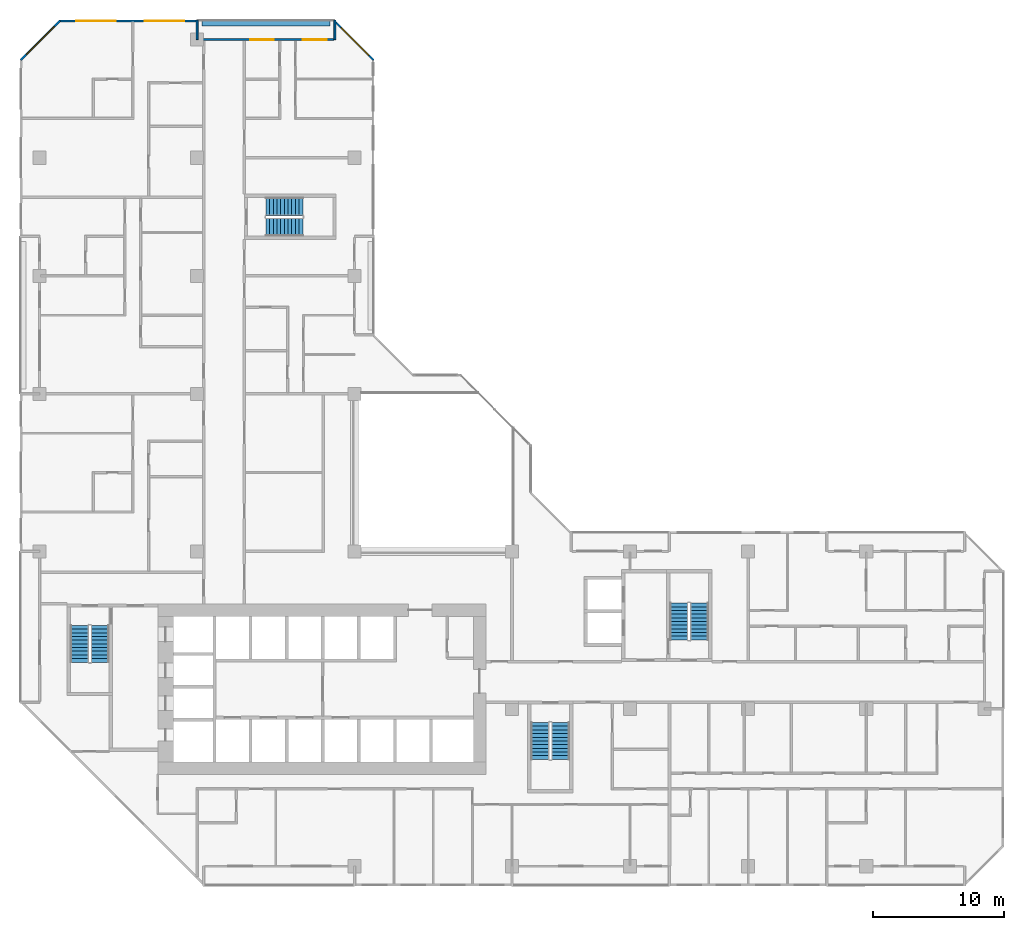
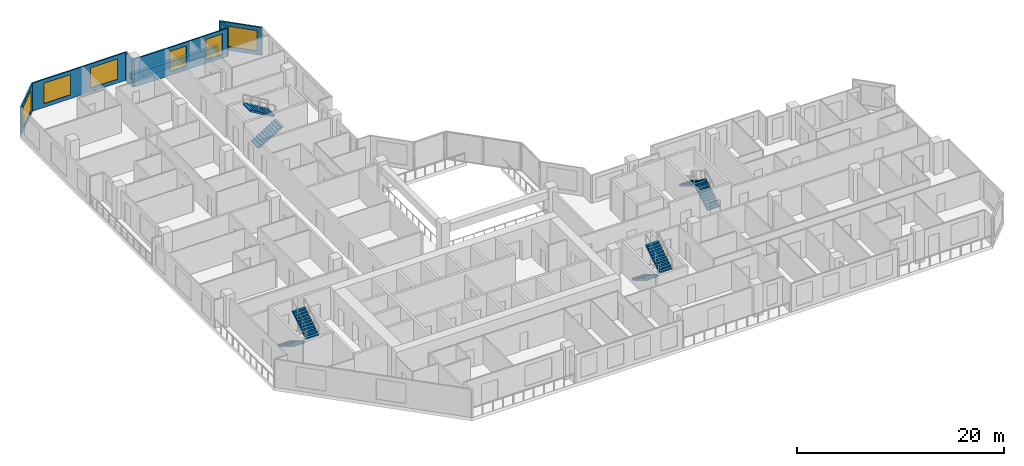
# One storey, part 13 of 15: 8 stair flights, 7 walls, 6 windows, 6 openings, 4 elements without a shape of their own.
"""IFC4 building model written with IfcOpenShell, lengths in metres."""

from ifc_helpers import new_model, si_unit, direction, frame, frame_2d, origin, place, context, subcontext, project, spatial, polyline, rectangle, outline, extrude, material, layer, layer_set, type_object, element, fill, aggregate, save


model = new_model("IFC4")

# Units and contexts
model_context = context("Model", 3, precision=1e-05, world=origin(), true_north=direction((0.0, 1.0)))
body_context = subcontext(model_context, "Body", "Model", "MODEL_VIEW")
ifc_project = project(units=[si_unit("LENGTHUNIT", "METRE"), si_unit("AREAUNIT", "SQUARE_METRE"), si_unit("VOLUMEUNIT", "CUBIC_METRE"), si_unit("PLANEANGLEUNIT", "RADIAN"), si_unit("MASSUNIT", "GRAM", prefix="KILO")], contexts=[model_context])

# Site, building, storey
site_placement = place(None, origin())
site = spatial("IfcSite", under=ifc_project, at=site_placement, CompositionType="ELEMENT")
building_placement = place(site_placement, origin())
building = spatial("IfcBuilding", under=site, at=building_placement, Name="Chenar Terraces", CompositionType="ELEMENT")
storey_placement = place(building_placement, frame((0.0, 0.0, 136.89990234375)))
storey = spatial("IfcBuildingStorey", under=building, at=storey_placement, Name="L32", CompositionType="ELEMENT", Elevation=136.89990234375)

# Wall, openings, windows
ifc_material_1 = material(Name="Aluminium framed glazing", Category="aluminium")
ifc_layer_1 = layer(ifc_material_1, 0.14990234375)
ifc_layer_set_1 = layer_set([ifc_layer_1], Name="Aluminium framed glazing")
wall_type_1 = type_object("IfcWallType", Name="Glazed flush facade wall 150", PredefinedType="SOLIDWALL", material=ifc_layer_set_1)
wall_1_placement = place(storey_placement, frame((11.925048828125, 64.425048828125, 0.0), z_axis=(0.0, 0.0, 1.0), x_axis=(-1.0, 0.0, 0.0)))
wall_1 = element("IfcWall", 1, at=wall_1_placement, inside=storey, type_object=wall_type_1, Name="Glazed flush facade wall", PredefinedType="SOLIDWALL", context=body_context, shape_type="SweptSolid", body=[
    extrude(rectangle(XDim=10.425048828125, YDim=0.14990234375, at=frame_2d((5.21240234375, 0.0))), origin(), (0.0, 0.0, 1.0), 3.300048828125),
])
opening_1_placement = place(wall_1_placement, frame((0.91259765625, 0.0, 0.449951171875)))
opening_1 = element("IfcOpeningElement", 2, at=opening_1_placement, cuts=wall_1, Name="Opening W300x240", PredefinedType="OPENING", context=body_context, shape_type="SweptSolid", body=[
    extrude(rectangle(XDim=3.0, YDim=2.39990234375, at=frame_2d((1.5, 1.199951171875))), frame((0.0, 0.0849609375, 0.0), z_axis=(0.0, -1.0, 0.0), x_axis=(1.0, 0.0, 0.0)), (0.0, 0.0, 1.0), 0.169921875),
])
opening_2_placement = place(wall_1_placement, frame((6.125, 0.0, 0.449951171875)))
opening_2 = element("IfcOpeningElement", 3, at=opening_2_placement, cuts=wall_1, Name="Opening W300x240", PredefinedType="OPENING", context=body_context, shape_type="SweptSolid", body=[
    extrude(rectangle(XDim=3.0, YDim=2.39990234375, at=frame_2d((1.5, 1.199951171875))), frame((0.0, 0.0849609375, 0.0), z_axis=(0.0, -1.0, 0.0), x_axis=(1.0, 0.0, 0.0)), (0.0, 0.0, 1.0), 0.169921875),
])
ifc_material_2 = material(Name="Low emissivity double glazing, aluminium frame", Category="aluminium")
window_type_1 = type_object("IfcWindowType", Name="Fixed light 3000 x 2400", PartitioningType="SINGLE_PANEL", PredefinedType="WINDOW", material=ifc_material_2)
window_1_placement = place(opening_1_placement, origin())
window_1 = element("IfcWindow", 4, at=window_1_placement, inside=storey, type_object=window_type_1, Name="Window", OverallHeight=2.39990234375, OverallWidth=3.0, PartitioningType="SINGLE_PANEL", PredefinedType="WINDOW", context=body_context, shape_type="SweptSolid", body=[
    extrude(rectangle(XDim=3.0, YDim=2.39990234375, at=frame_2d((1.5, 1.199951171875))), frame((0.0, 0.030029296875, 0.0), z_axis=(0.0, -1.0, 0.0), x_axis=(1.0, 0.0, 0.0)), (0.0, 0.0, 1.0), 0.06005859375),
])
fill(opening_1, window_1)
window_2_placement = place(opening_2_placement, origin())
window_2 = element("IfcWindow", 5, at=window_2_placement, inside=storey, type_object=window_type_1, Name="Window", OverallHeight=2.39990234375, OverallWidth=3.0, PartitioningType="SINGLE_PANEL", PredefinedType="WINDOW", context=body_context, shape_type="SweptSolid", body=[
    extrude(rectangle(XDim=3.0, YDim=2.39990234375, at=frame_2d((1.5, 1.199951171875))), frame((0.0, 0.030029296875, 0.0), z_axis=(0.0, -1.0, 0.0), x_axis=(1.0, 0.0, 0.0)), (0.0, 0.0, 1.0), 0.06005859375),
])
fill(opening_2, window_2)

ifc_material_3 = material(Name="Aluminium framed glazing", Category="aluminium")
ifc_layer_2 = layer(ifc_material_3, 0.14990234375)
ifc_layer_set_2 = layer_set([ifc_layer_2], Name="Aluminium framed glazing")
wall_type_2 = type_object("IfcWallType", Name="Glazed loggia back wall 150", PredefinedType="SOLIDWALL", material=ifc_layer_set_2)
wall_2_placement = place(storey_placement, frame((22.425048828125, 63.0, 0.0), z_axis=(0.0, 0.0, 1.0), x_axis=(-1.0, 0.0, 0.0)))
wall_2 = element("IfcWall", 6, at=wall_2_placement, inside=storey, type_object=wall_type_2, Name="Glazed loggia back wall", PredefinedType="SOLIDWALL", context=body_context, shape_type="SweptSolid", body=[
    extrude(rectangle(XDim=10.35009765625, YDim=0.14990234375, at=frame_2d((5.175048828125, 0.0))), origin(), (0.0, 0.0, 1.0), 3.300048828125),
])
opening_3_placement = place(wall_2_placement, frame((0.5625, 0.0, 0.449951171875)))
opening_3 = element("IfcOpeningElement", 7, at=opening_3_placement, cuts=wall_2, Name="Opening W180x240", PredefinedType="OPENING", context=body_context, shape_type="SweptSolid", body=[
    extrude(rectangle(XDim=1.800048828125, YDim=2.39990234375, at=frame_2d((0.89990234375, 1.199951171875))), frame((0.0, 0.0849609375, 0.0), z_axis=(0.0, -1.0, 0.0), x_axis=(1.0, 0.0, 0.0)), (0.0, 0.0, 1.0), 0.169921875),
])
opening_4_placement = place(wall_2_placement, frame((4.574951171875, 0.0, 0.449951171875)))
opening_4 = element("IfcOpeningElement", 8, at=opening_4_placement, cuts=wall_2, Name="Opening W180x240", PredefinedType="OPENING", context=body_context, shape_type="SweptSolid", body=[
    extrude(rectangle(XDim=1.800048828125, YDim=2.39990234375, at=frame_2d((0.89990234375, 1.199951171875))), frame((0.0, 0.0849609375, 0.0), z_axis=(0.0, -1.0, 0.0), x_axis=(1.0, 0.0, 0.0)), (0.0, 0.0, 1.0), 0.169921875),
])
ifc_material_4 = material(Name="Low emissivity double glazing, aluminium frame", Category="aluminium")
window_type_2 = type_object("IfcWindowType", Name="Fixed light 1800 x 2400", PartitioningType="SINGLE_PANEL", PredefinedType="WINDOW", material=ifc_material_4)
window_3_placement = place(opening_3_placement, origin())
window_3 = element("IfcWindow", 9, at=window_3_placement, inside=storey, type_object=window_type_2, Name="Window", OverallHeight=2.39990234375, OverallWidth=1.800048828125, PartitioningType="SINGLE_PANEL", PredefinedType="WINDOW", context=body_context, shape_type="SweptSolid", body=[
    extrude(rectangle(XDim=1.800048828125, YDim=2.39990234375, at=frame_2d((0.89990234375, 1.199951171875))), frame((0.0, 0.030029296875, 0.0), z_axis=(0.0, -1.0, 0.0), x_axis=(1.0, 0.0, 0.0)), (0.0, 0.0, 1.0), 0.06005859375),
])
fill(opening_3, window_3)
window_4_placement = place(opening_4_placement, origin())
window_4 = element("IfcWindow", 10, at=window_4_placement, inside=storey, type_object=window_type_2, Name="Window", OverallHeight=2.39990234375, OverallWidth=1.800048828125, PartitioningType="SINGLE_PANEL", PredefinedType="WINDOW", context=body_context, shape_type="SweptSolid", body=[
    extrude(rectangle(XDim=1.800048828125, YDim=2.39990234375, at=frame_2d((0.89990234375, 1.199951171875))), frame((0.0, 0.030029296875, 0.0), z_axis=(0.0, -1.0, 0.0), x_axis=(1.0, 0.0, 0.0)), (0.0, 0.0, 1.0), 0.06005859375),
])
fill(opening_4, window_4)

# Walls
ifc_material_5 = material(Name="Terracotta cladding on insulated backing", Category="masonry")
ifc_layer_3 = layer(ifc_material_5, 0.14990234375)
ifc_layer_set_3 = layer_set([ifc_layer_3], Name="Terracotta cladding on insulated backing")
wall_type_3 = type_object("IfcWallType", Name="Loggia return wall 150", PredefinedType="SOLIDWALL", material=ifc_layer_set_3)
for number, where, z_axis, x_axis, name in (
    (11, (22.5, 64.5, 0.0), (0.0, 0.0, 1.0), (0.0, -1.0, 0.0), "Loggia return wall"),
    (12, (12.0, 64.5, 0.0), (0.0, 0.0, 1.0), (0.0, -1.0, 0.0), "Loggia return wall"),
):
    element("IfcWall", number, at=place(storey_placement, frame(where, z_axis=z_axis, x_axis=x_axis)), inside=storey, type_object=wall_type_3, Name=name, PredefinedType="SOLIDWALL", context=body_context, shape_type="SweptSolid", body=[
        extrude(rectangle(XDim=1.5, YDim=0.14990234375, at=frame_2d((0.75, 0.0))), origin(), (0.0, 0.0, 1.0), 3.300048828125),
    ])

# Wall, opening, window
ifc_material_6 = material(Name="Terracotta cladding on insulated backing", Category="masonry")
ifc_layer_4 = layer(ifc_material_6, 0.14990234375)
ifc_layer_set_4 = layer_set([ifc_layer_4], Name="Terracotta cladding on insulated backing")
wall_type_4 = type_object("IfcWallType", Name="Terracotta rainscreen wall 150", PredefinedType="SOLIDWALL", material=ifc_layer_set_4)
wall_3_placement = place(storey_placement, frame((25.447021484375, 61.447021484375, 0.0), z_axis=(0.0, 0.0, 1.0), x_axis=(-0.707106781187, 0.707106781187, 0.0)))
wall_3 = element("IfcWall", 13, at=wall_3_placement, inside=storey, type_object=wall_type_4, Name="Terracotta rainscreen wall", PredefinedType="SOLIDWALL", context=body_context, shape_type="SweptSolid", body=[
    extrude(rectangle(XDim=4.24267578125, YDim=0.14990234375, at=frame_2d((2.121337890625, 0.0))), origin(), (0.0, 0.0, 1.0), 3.300048828125),
])
opening_5_placement = place(wall_3_placement, frame((0.498046875, 0.0, 0.449951171875)))
opening_5 = element("IfcOpeningElement", 14, at=opening_5_placement, cuts=wall_3, Name="Opening W300x240", PredefinedType="OPENING", context=body_context, shape_type="SweptSolid", body=[
    extrude(rectangle(XDim=3.0, YDim=2.39990234375, at=frame_2d((1.5, 1.199951171875))), frame((0.0, 0.0849609375, 0.0), z_axis=(0.0, -1.0, 0.0), x_axis=(1.0, 0.0, 0.0)), (0.0, 0.0, 1.0), 0.169921875),
])
window_5_placement = place(opening_5_placement, origin())
window_5 = element("IfcWindow", 15, at=window_5_placement, inside=storey, type_object=window_type_1, Name="Window", OverallHeight=2.39990234375, OverallWidth=3.0, PartitioningType="SINGLE_PANEL", PredefinedType="WINDOW", context=body_context, shape_type="SweptSolid", body=[
    extrude(rectangle(XDim=3.0, YDim=2.39990234375, at=frame_2d((1.5, 1.199951171875))), frame((0.0, 0.030029296875, 0.0), z_axis=(0.0, -1.0, 0.0), x_axis=(1.0, 0.0, 0.0)), (0.0, 0.0, 1.0), 0.06005859375),
])
fill(opening_5, window_5)

wall_4_placement = place(storey_placement, frame((1.552978515625, 64.447021484375, 0.0), z_axis=(0.0, 0.0, 1.0), x_axis=(-0.707106781187, -0.707106781187, 0.0)))
wall_4 = element("IfcWall", 16, at=wall_4_placement, inside=storey, type_object=wall_type_4, Name="Terracotta rainscreen wall", PredefinedType="SOLIDWALL", context=body_context, shape_type="SweptSolid", body=[
    extrude(rectangle(XDim=4.24267578125, YDim=0.14990234375, at=frame_2d((2.121337890625, 0.0))), origin(), (0.0, 0.0, 1.0), 3.300048828125),
])
opening_6_placement = place(wall_4_placement, frame((0.621337890625, 0.0, 0.449951171875)))
opening_6 = element("IfcOpeningElement", 17, at=opening_6_placement, cuts=wall_4, Name="Opening W300x240", PredefinedType="OPENING", context=body_context, shape_type="SweptSolid", body=[
    extrude(rectangle(XDim=3.0, YDim=2.39990234375, at=frame_2d((1.5, 1.199951171875))), frame((0.0, 0.0849609375, 0.0), z_axis=(0.0, -1.0, 0.0), x_axis=(1.0, 0.0, 0.0)), (0.0, 0.0, 1.0), 0.169921875),
])
window_6_placement = place(opening_6_placement, origin())
window_6 = element("IfcWindow", 18, at=window_6_placement, inside=storey, type_object=window_type_1, Name="Window", OverallHeight=2.39990234375, OverallWidth=3.0, PartitioningType="SINGLE_PANEL", PredefinedType="WINDOW", context=body_context, shape_type="SweptSolid", body=[
    extrude(rectangle(XDim=3.0, YDim=2.39990234375, at=frame_2d((1.5, 1.199951171875))), frame((0.0, 0.030029296875, 0.0), z_axis=(0.0, -1.0, 0.0), x_axis=(1.0, 0.0, 0.0)), (0.0, 0.0, 1.0), 0.06005859375),
])
fill(opening_6, window_6)

# Wall
ifc_material_7 = material(Name="GRP planter trough")
ifc_layer_5 = layer(ifc_material_7, 0.39990234375)
ifc_layer_set_5 = layer_set([ifc_layer_5], Name="GRP planter trough")
wall_type_5 = type_object("IfcWallType", Name="Vertical greenery planter 400", PredefinedType="SOLIDWALL", material=ifc_layer_set_5)
wall_5_placement = place(storey_placement, frame((22.125, 64.22900390625, 0.0), z_axis=(0.0, 0.0, 1.0), x_axis=(-1.0, 0.0, 0.0)))
element("IfcWall", 19, at=wall_5_placement, inside=storey, type_object=wall_type_5, Name="Vertical greenery planter", PredefinedType="SOLIDWALL", context=body_context, shape_type="SweptSolid", body=[
    extrude(rectangle(XDim=9.75, YDim=0.39990234375, at=frame_2d((4.875, 0.0))), origin(), (0.0, 0.0, 1.0), 0.7001953125),
])

# Stair, stair flights
ifc_material_8 = material(Name="Reinforced concrete C40/50", Category="concrete")
stair_type = type_object("IfcStairType", Name="Core stair 1400 half-turn", PredefinedType="HALF_TURN_STAIR", material=ifc_material_8)
placement = place(storey_placement, origin())
stair_1 = element("IfcStair", 20, at=placement, inside=storey, type_object=stair_type, Name="L32 Stair 1", PredefinedType="HALF_TURN_STAIR")
ifc_material_9 = material(Name="Reinforced concrete C40/50", Category="concrete")
stair_flight_type = type_object("IfcStairFlightType", Name="Core stair flight 1400", PredefinedType="STRAIGHT", material=ifc_material_9)
stair_flight_1_placement = place(storey_placement, frame((3.050048828125, 18.35009765625, 0.0), z_axis=(0.0, 0.0, 1.0), x_axis=(0.0, -1.0, 0.0)))
stair_flight_1 = element("IfcStairFlight", 21, at=stair_flight_1_placement, type_object=stair_flight_type, Name="ST1 flight 1", NumberOfRisers=11, NumberOfTreads=10, PredefinedType="STRAIGHT", RiserHeight=0.170454545, TreadLength=0.28, context=body_context, shape_type="SweptSolid", body=[
    extrude(outline(polyline([(-0.0029296875, 0.0), (-0.0029296875, 0.17041015625), (0.0, 0.17041015625), (0.280029296875, 0.17041015625), (0.280029296875, 0.3408203125), (0.56005859375, 0.3408203125), (0.56005859375, 0.511474609375), (0.840087890625, 0.511474609375), (0.840087890625, 0.681884765625), (1.1201171875, 0.681884765625), (1.1201171875, 0.852294921875), (1.39990234375, 0.852294921875), (1.39990234375, 1.022705078125), (1.679931640625, 1.022705078125), (1.679931640625, 1.193115234375), (1.9599609375, 1.193115234375), (1.9599609375, 1.363525390625), (2.239990234375, 1.363525390625), (2.239990234375, 1.5341796875), (2.52001953125, 1.5341796875), (2.52001953125, 1.70458984375), (2.800048828125, 1.70458984375), (2.802978515625, 1.70458984375), (2.802978515625, 1.529052734375), (2.800048828125, 1.529052734375), (0.288330078125, 0.0), (-0.0029296875, 0.0)])), frame((0.0, 0.699951171875, 0.0), z_axis=(0.0, -1.0, 0.0), x_axis=(1.0, 0.0, 0.0)), (0.0, 0.0, 1.0), 1.39990234375),
])
stair_flight_2_placement = place(storey_placement, frame((4.60009765625, 15.550048828125, 1.875), z_axis=(0.0, 0.0, 1.0), x_axis=(0.0, 1.0, 0.0)))
stair_flight_2 = element("IfcStairFlight", 22, at=stair_flight_2_placement, type_object=stair_flight_type, Name="ST1 flight 2", NumberOfRisers=11, NumberOfTreads=10, PredefinedType="STRAIGHT", RiserHeight=0.170454545, TreadLength=0.28, context=body_context, shape_type="SweptSolid", body=[
    extrude(outline(polyline([(-0.0029296875, 0.0), (-0.0029296875, 0.17041015625), (0.0, 0.17041015625), (0.280029296875, 0.17041015625), (0.280029296875, 0.3408203125), (0.56005859375, 0.3408203125), (0.56005859375, 0.511474609375), (0.840087890625, 0.511474609375), (0.840087890625, 0.681884765625), (1.1201171875, 0.681884765625), (1.1201171875, 0.852294921875), (1.39990234375, 0.852294921875), (1.39990234375, 1.022705078125), (1.679931640625, 1.022705078125), (1.679931640625, 1.193115234375), (1.9599609375, 1.193115234375), (1.9599609375, 1.363525390625), (2.239990234375, 1.363525390625), (2.239990234375, 1.5341796875), (2.52001953125, 1.5341796875), (2.52001953125, 1.70458984375), (2.800048828125, 1.70458984375), (2.802978515625, 1.70458984375), (2.802978515625, 1.529052734375), (2.800048828125, 1.529052734375), (0.288330078125, 0.0), (-0.0029296875, 0.0)])), frame((0.0, 0.699951171875, 0.0), z_axis=(0.0, -1.0, 0.0), x_axis=(1.0, 0.0, 0.0)), (0.0, 0.0, 1.0), 1.39990234375),
])
aggregate(stair_1, [stair_flight_1, stair_flight_2])

stair_2 = element("IfcStair", 23, at=placement, inside=storey, type_object=stair_type, Name="L32 Stair 2", PredefinedType="HALF_TURN_STAIR")
stair_flight_3_placement = place(storey_placement, frame((38.14990234375, 10.949951171875, 0.0), z_axis=(0.0, 0.0, 1.0), x_axis=(0.0, -1.0, 0.0)))
stair_flight_3 = element("IfcStairFlight", 24, at=stair_flight_3_placement, type_object=stair_flight_type, Name="ST2 flight 1", NumberOfRisers=11, NumberOfTreads=10, PredefinedType="STRAIGHT", RiserHeight=0.170454545, TreadLength=0.28, context=body_context, shape_type="SweptSolid", body=[
    extrude(outline(polyline([(-0.0029296875, 0.0), (-0.0029296875, 0.17041015625), (0.0, 0.17041015625), (0.280029296875, 0.17041015625), (0.280029296875, 0.3408203125), (0.56005859375, 0.3408203125), (0.56005859375, 0.511474609375), (0.840087890625, 0.511474609375), (0.840087890625, 0.681884765625), (1.1201171875, 0.681884765625), (1.1201171875, 0.852294921875), (1.39990234375, 0.852294921875), (1.39990234375, 1.022705078125), (1.679931640625, 1.022705078125), (1.679931640625, 1.193115234375), (1.9599609375, 1.193115234375), (1.9599609375, 1.363525390625), (2.239990234375, 1.363525390625), (2.239990234375, 1.5341796875), (2.52001953125, 1.5341796875), (2.52001953125, 1.70458984375), (2.800048828125, 1.70458984375), (2.802978515625, 1.70458984375), (2.802978515625, 1.529052734375), (2.800048828125, 1.529052734375), (0.288330078125, 0.0), (-0.0029296875, 0.0)])), frame((0.0, 0.699951171875, 0.0), z_axis=(0.0, -1.0, 0.0), x_axis=(1.0, 0.0, 0.0)), (0.0, 0.0, 1.0), 1.39990234375),
])
stair_flight_4_placement = place(storey_placement, frame((39.699951171875, 8.14990234375, 1.875), z_axis=(0.0, 0.0, 1.0), x_axis=(0.0, 1.0, 0.0)))
stair_flight_4 = element("IfcStairFlight", 25, at=stair_flight_4_placement, type_object=stair_flight_type, Name="ST2 flight 2", NumberOfRisers=11, NumberOfTreads=10, PredefinedType="STRAIGHT", RiserHeight=0.170454545, TreadLength=0.28, context=body_context, shape_type="SweptSolid", body=[
    extrude(outline(polyline([(-0.0029296875, 0.0), (-0.0029296875, 0.17041015625), (0.0, 0.17041015625), (0.280029296875, 0.17041015625), (0.280029296875, 0.3408203125), (0.56005859375, 0.3408203125), (0.56005859375, 0.511474609375), (0.840087890625, 0.511474609375), (0.840087890625, 0.681884765625), (1.1201171875, 0.681884765625), (1.1201171875, 0.852294921875), (1.39990234375, 0.852294921875), (1.39990234375, 1.022705078125), (1.679931640625, 1.022705078125), (1.679931640625, 1.193115234375), (1.9599609375, 1.193115234375), (1.9599609375, 1.363525390625), (2.239990234375, 1.363525390625), (2.239990234375, 1.5341796875), (2.52001953125, 1.5341796875), (2.52001953125, 1.70458984375), (2.800048828125, 1.70458984375), (2.802978515625, 1.70458984375), (2.802978515625, 1.529052734375), (2.800048828125, 1.529052734375), (0.288330078125, 0.0), (-0.0029296875, 0.0)])), frame((0.0, 0.699951171875, 0.0), z_axis=(0.0, -1.0, 0.0), x_axis=(1.0, 0.0, 0.0)), (0.0, 0.0, 1.0), 1.39990234375),
])
aggregate(stair_2, [stair_flight_3, stair_flight_4])

stair_3 = element("IfcStair", 26, at=placement, inside=storey, type_object=stair_type, Name="L32 Stair 3", PredefinedType="HALF_TURN_STAIR")
stair_flight_5_placement = place(storey_placement, frame((50.27490234375, 17.25, 0.0), z_axis=(0.0, 0.0, 1.0), x_axis=(0.0, 1.0, 0.0)))
stair_flight_5 = element("IfcStairFlight", 27, at=stair_flight_5_placement, type_object=stair_flight_type, Name="ST3 flight 1", NumberOfRisers=11, NumberOfTreads=10, PredefinedType="STRAIGHT", RiserHeight=0.170454545, TreadLength=0.28, context=body_context, shape_type="SweptSolid", body=[
    extrude(outline(polyline([(-0.0029296875, 0.0), (-0.0029296875, 0.17041015625), (0.0, 0.17041015625), (0.280029296875, 0.17041015625), (0.280029296875, 0.3408203125), (0.56005859375, 0.3408203125), (0.56005859375, 0.511474609375), (0.840087890625, 0.511474609375), (0.840087890625, 0.681884765625), (1.1201171875, 0.681884765625), (1.1201171875, 0.852294921875), (1.39990234375, 0.852294921875), (1.39990234375, 1.022705078125), (1.679931640625, 1.022705078125), (1.679931640625, 1.193115234375), (1.9599609375, 1.193115234375), (1.9599609375, 1.363525390625), (2.239990234375, 1.363525390625), (2.239990234375, 1.5341796875), (2.52001953125, 1.5341796875), (2.52001953125, 1.70458984375), (2.800048828125, 1.70458984375), (2.802978515625, 1.70458984375), (2.802978515625, 1.529052734375), (2.800048828125, 1.529052734375), (0.288330078125, 0.0), (-0.0029296875, 0.0)])), frame((0.0, 0.699951171875, 0.0), z_axis=(0.0, -1.0, 0.0), x_axis=(1.0, 0.0, 0.0)), (0.0, 0.0, 1.0), 1.39990234375),
])
stair_flight_6_placement = place(storey_placement, frame((48.72509765625, 20.050048828125, 1.875), z_axis=(0.0, 0.0, 1.0), x_axis=(0.0, -1.0, 0.0)))
stair_flight_6 = element("IfcStairFlight", 28, at=stair_flight_6_placement, type_object=stair_flight_type, Name="ST3 flight 2", NumberOfRisers=11, NumberOfTreads=10, PredefinedType="STRAIGHT", RiserHeight=0.170454545, TreadLength=0.28, context=body_context, shape_type="SweptSolid", body=[
    extrude(outline(polyline([(-0.0029296875, 0.0), (-0.0029296875, 0.17041015625), (0.0, 0.17041015625), (0.280029296875, 0.17041015625), (0.280029296875, 0.3408203125), (0.56005859375, 0.3408203125), (0.56005859375, 0.511474609375), (0.840087890625, 0.511474609375), (0.840087890625, 0.681884765625), (1.1201171875, 0.681884765625), (1.1201171875, 0.852294921875), (1.39990234375, 0.852294921875), (1.39990234375, 1.022705078125), (1.679931640625, 1.022705078125), (1.679931640625, 1.193115234375), (1.9599609375, 1.193115234375), (1.9599609375, 1.363525390625), (2.239990234375, 1.363525390625), (2.239990234375, 1.5341796875), (2.52001953125, 1.5341796875), (2.52001953125, 1.70458984375), (2.800048828125, 1.70458984375), (2.802978515625, 1.70458984375), (2.802978515625, 1.529052734375), (2.800048828125, 1.529052734375), (0.288330078125, 0.0), (-0.0029296875, 0.0)])), frame((0.0, 0.699951171875, 0.0), z_axis=(0.0, -1.0, 0.0), x_axis=(1.0, 0.0, 0.0)), (0.0, 0.0, 1.0), 1.39990234375),
])
aggregate(stair_3, [stair_flight_5, stair_flight_6])

stair_4 = element("IfcStair", 29, at=placement, inside=storey, type_object=stair_type, Name="L32 Stair 4", PredefinedType="HALF_TURN_STAIR")
stair_flight_7_placement = place(storey_placement, frame((17.25, 48.72509765625, 0.0), z_axis=(0.0, 0.0, 1.0), x_axis=(1.0, 0.0, 0.0)))
stair_flight_7 = element("IfcStairFlight", 30, at=stair_flight_7_placement, type_object=stair_flight_type, Name="ST4 flight 1", NumberOfRisers=11, NumberOfTreads=10, PredefinedType="STRAIGHT", RiserHeight=0.170454545, TreadLength=0.28, context=body_context, shape_type="SweptSolid", body=[
    extrude(outline(polyline([(-0.0029296875, 0.0), (-0.0029296875, 0.17041015625), (0.0, 0.17041015625), (0.280029296875, 0.17041015625), (0.280029296875, 0.3408203125), (0.56005859375, 0.3408203125), (0.56005859375, 0.511474609375), (0.840087890625, 0.511474609375), (0.840087890625, 0.681884765625), (1.1201171875, 0.681884765625), (1.1201171875, 0.852294921875), (1.39990234375, 0.852294921875), (1.39990234375, 1.022705078125), (1.679931640625, 1.022705078125), (1.679931640625, 1.193115234375), (1.9599609375, 1.193115234375), (1.9599609375, 1.363525390625), (2.239990234375, 1.363525390625), (2.239990234375, 1.5341796875), (2.52001953125, 1.5341796875), (2.52001953125, 1.70458984375), (2.800048828125, 1.70458984375), (2.802978515625, 1.70458984375), (2.802978515625, 1.529052734375), (2.800048828125, 1.529052734375), (0.288330078125, 0.0), (-0.0029296875, 0.0)])), frame((0.0, 0.699951171875, 0.0), z_axis=(0.0, -1.0, 0.0), x_axis=(1.0, 0.0, 0.0)), (0.0, 0.0, 1.0), 1.39990234375),
])
stair_flight_8_placement = place(storey_placement, frame((20.050048828125, 50.27490234375, 1.875), z_axis=(0.0, 0.0, 1.0), x_axis=(-1.0, 0.0, 0.0)))
stair_flight_8 = element("IfcStairFlight", 31, at=stair_flight_8_placement, type_object=stair_flight_type, Name="ST4 flight 2", NumberOfRisers=11, NumberOfTreads=10, PredefinedType="STRAIGHT", RiserHeight=0.170454545, TreadLength=0.28, context=body_context, shape_type="SweptSolid", body=[
    extrude(outline(polyline([(-0.0029296875, 0.0), (-0.0029296875, 0.17041015625), (0.0, 0.17041015625), (0.280029296875, 0.17041015625), (0.280029296875, 0.3408203125), (0.56005859375, 0.3408203125), (0.56005859375, 0.511474609375), (0.840087890625, 0.511474609375), (0.840087890625, 0.681884765625), (1.1201171875, 0.681884765625), (1.1201171875, 0.852294921875), (1.39990234375, 0.852294921875), (1.39990234375, 1.022705078125), (1.679931640625, 1.022705078125), (1.679931640625, 1.193115234375), (1.9599609375, 1.193115234375), (1.9599609375, 1.363525390625), (2.239990234375, 1.363525390625), (2.239990234375, 1.5341796875), (2.52001953125, 1.5341796875), (2.52001953125, 1.70458984375), (2.800048828125, 1.70458984375), (2.802978515625, 1.70458984375), (2.802978515625, 1.529052734375), (2.800048828125, 1.529052734375), (0.288330078125, 0.0), (-0.0029296875, 0.0)])), frame((0.0, 0.699951171875, 0.0), z_axis=(0.0, -1.0, 0.0), x_axis=(1.0, 0.0, 0.0)), (0.0, 0.0, 1.0), 1.39990234375),
])
aggregate(stair_4, [stair_flight_7, stair_flight_8])

save(model, "model.ifc")
